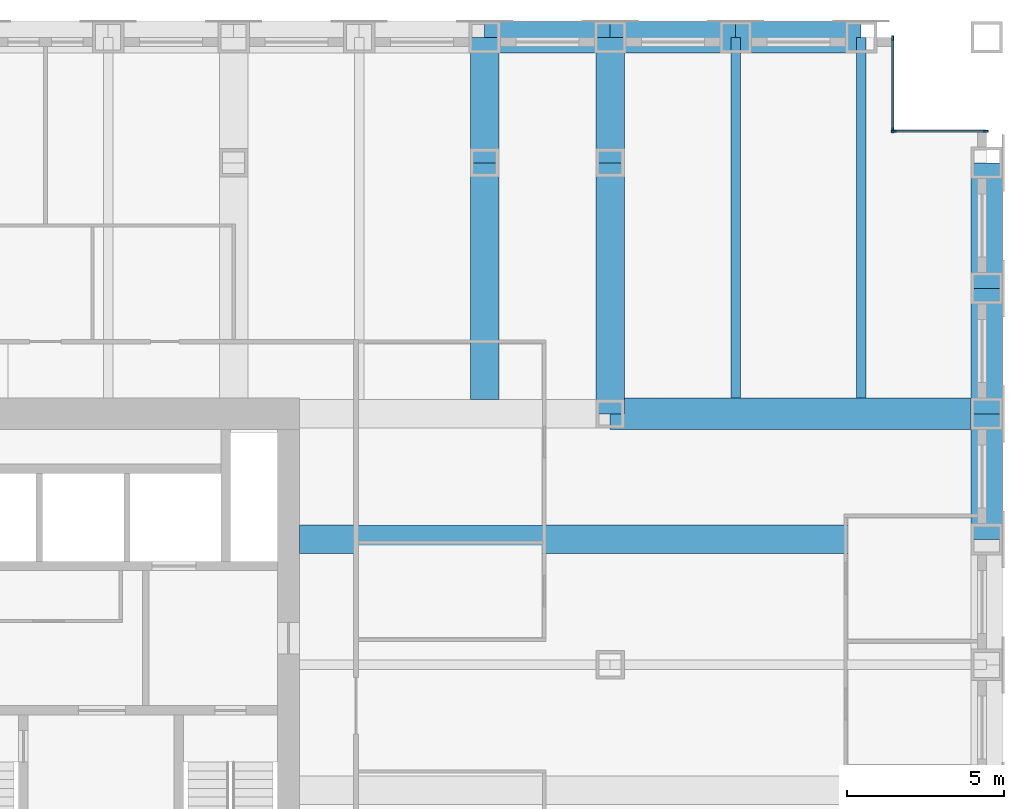
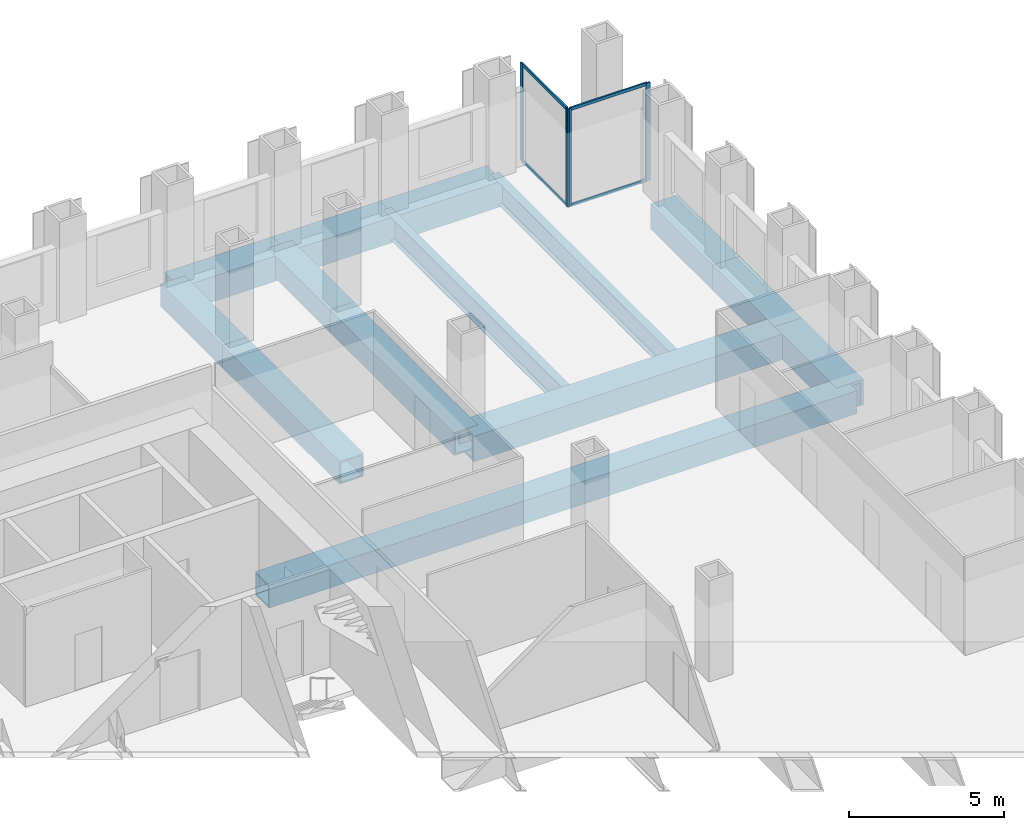
# One storey, part 9 of 16: 14 beams, 8 members, 2 elements without a shape of their own.
"""IFC4 building model written with IfcOpenShell, lengths in metres."""

from ifc_helpers import new_model, si_unit, direction, frame, origin, origin_2d, place, context, subcontext, project, spatial, rectangle, hollow_rectangle, i_section, extrude, material, material_profile, profile_set, type_object, element, aggregate, save


model = new_model("IFC4")

# Units and contexts
model_context = context("Model", 3, precision=1e-05, world=origin(), true_north=direction((0.0, 1.0)))
body_context = subcontext(model_context, "Body", "Model", "MODEL_VIEW")
ifc_project = project(units=[si_unit("LENGTHUNIT", "METRE"), si_unit("AREAUNIT", "SQUARE_METRE"), si_unit("VOLUMEUNIT", "CUBIC_METRE"), si_unit("PLANEANGLEUNIT", "RADIAN"), si_unit("MASSUNIT", "GRAM", prefix="KILO")], contexts=[model_context])

# Site, building, storey
site_placement = place(None, origin())
site = spatial("IfcSite", under=ifc_project, at=site_placement, CompositionType="ELEMENT")
building_placement = place(site_placement, origin())
building = spatial("IfcBuilding", under=site, at=building_placement, Name="Rimbunsela Tower", CompositionType="ELEMENT")
storey_placement = place(building_placement, frame((0.0, 0.0, 81.39990234375)))
storey = spatial("IfcBuildingStorey", under=building, at=storey_placement, Name="L19", CompositionType="ELEMENT", Elevation=81.39990234375)

# Beams
ifc_material_1 = material(Name="Steel BJ 55 (fy 410 MPa)", Category="steel")
ifc_material_profile_1 = material_profile(ifc_material_1, hollow_rectangle(XDim=1.0, YDim=1.0, WallThickness=0.10009765625, at=origin_2d()), Name="BOX 1000x1000x100")
ifc_profile_set_1 = profile_set([ifc_material_profile_1], Name="Steel BJ 55 (fy 410 MPa)")
beam_type_1 = type_object("IfcBeamType", Name="Beam BOX 1000x1000x100", PredefinedType="BEAM", material=ifc_profile_set_1)
beam_1_placement = place(storey_placement, frame((42.0, 48.0, -0.64990234375), z_axis=(1.0, 0.0, 0.0), x_axis=(0.0, 1.0, 0.0)))
element("IfcBeam", 1, at=beam_1_placement, inside=storey, type_object=beam_type_1, Name="Beam B3 L19", PredefinedType="BEAM", context=body_context, shape_type="SweptSolid", body=[
    extrude(hollow_rectangle(XDim=1.0, YDim=1.0, WallThickness=0.10009765625, at=origin_2d()), origin(), (0.0, 0.0, 1.0), 4.0),
])
beam_2_placement = place(storey_placement, frame((46.0, 36.0, -0.64990234375), z_axis=(1.0, 0.0, 0.0), x_axis=(0.0, 1.0, 0.0)))
element("IfcBeam", 2, at=beam_2_placement, inside=storey, type_object=beam_type_1, Name="Beam B3 L19", PredefinedType="BEAM", context=body_context, shape_type="SweptSolid", body=[
    extrude(hollow_rectangle(XDim=1.0, YDim=1.0, WallThickness=0.10009765625, at=origin_2d()), origin(), (0.0, 0.0, 1.0), 12.0),
])
for number, where, z_axis, x_axis, name in (
    (3, (46.0, 48.0, -0.64990234375), (1.0, 0.0, 0.0), (0.0, 1.0, 0.0), "Beam B3 L19"),
    (4, (50.0, 48.0, -0.64990234375), (1.0, 0.0, 0.0), (0.0, 1.0, 0.0), "Beam B3 L19"),
    (5, (58.0, 32.0, -0.64990234375), (0.0, 1.0, 0.0), (-1.0, 0.0, 0.0), "Beam B3 L19"),
    (6, (58.0, 36.0, -0.64990234375), (0.0, 1.0, 0.0), (-1.0, 0.0, 0.0), "Beam B3 L19"),
    (7, (58.0, 40.0, -0.64990234375), (0.0, 1.0, 0.0), (-1.0, 0.0, 0.0), "Beam B3 L19"),
):
    element("IfcBeam", number, at=place(storey_placement, frame(where, z_axis=z_axis, x_axis=x_axis)), inside=storey, type_object=beam_type_1, Name=name, PredefinedType="BEAM", context=body_context, shape_type="SweptSolid", body=[
        extrude(hollow_rectangle(XDim=1.0, YDim=1.0, WallThickness=0.10009765625, at=origin_2d()), origin(), (0.0, 0.0, 1.0), 4.0),
    ])
ifc_material_2 = material(Name="Steel BJ 55 (fy 410 MPa)", Category="steel")
ifc_material_profile_2 = material_profile(ifc_material_2, hollow_rectangle(XDim=0.89990234375, YDim=0.89990234375, WallThickness=0.06005859375, at=origin_2d()), Name="BOX 900x900x60")
ifc_profile_set_2 = profile_set([ifc_material_profile_2], Name="Steel BJ 55 (fy 410 MPa)")
beam_type_2 = type_object("IfcBeamType", Name="Beam BOX 900x900x60", PredefinedType="BEAM", material=ifc_profile_set_2)
beam_3_placement = place(storey_placement, frame((36.10009765625, 32.0, -0.599853515625), z_axis=(1.0, 0.0, 0.0), x_axis=(0.0, 1.0, 0.0)))
element("IfcBeam", 8, at=beam_3_placement, inside=storey, type_object=beam_type_2, Name="Beam B1 L19", PredefinedType="BEAM", context=body_context, shape_type="SweptSolid", body=[
    extrude(hollow_rectangle(XDim=0.89990234375, YDim=0.89990234375, WallThickness=0.06005859375, at=origin_2d()), origin(), (0.0, 0.0, 1.0), 21.89990234375),
])
beam_4_placement = place(storey_placement, frame((42.0, 36.449951171875, -0.599853515625), z_axis=(0.0, 1.0, 0.0), x_axis=(-1.0, 0.0, 0.0)))
element("IfcBeam", 9, at=beam_4_placement, inside=storey, type_object=beam_type_2, Name="Beam B1 L19", PredefinedType="BEAM", context=body_context, shape_type="SweptSolid", body=[
    extrude(hollow_rectangle(XDim=0.89990234375, YDim=0.89990234375, WallThickness=0.06005859375, at=origin_2d()), origin(), (0.0, 0.0, 1.0), 7.550048828125),
])
beam_5_placement = place(storey_placement, frame((42.0, 44.0, -0.599853515625), z_axis=(0.0, 1.0, 0.0), x_axis=(-1.0, 0.0, 0.0)))
element("IfcBeam", 10, at=beam_5_placement, inside=storey, type_object=beam_type_2, Name="Beam B1 L19", PredefinedType="BEAM", context=body_context, shape_type="SweptSolid", body=[
    extrude(hollow_rectangle(XDim=0.89990234375, YDim=0.89990234375, WallThickness=0.06005859375, at=origin_2d()), origin(), (0.0, 0.0, 1.0), 4.0),
])
beam_6_placement = place(storey_placement, frame((46.0, 36.0, -0.599853515625), z_axis=(0.0, 1.0, 0.0), x_axis=(-1.0, 0.0, 0.0)))
element("IfcBeam", 11, at=beam_6_placement, inside=storey, type_object=beam_type_2, Name="Beam B1 L19", PredefinedType="BEAM", context=body_context, shape_type="SweptSolid", body=[
    extrude(hollow_rectangle(XDim=0.89990234375, YDim=0.89990234375, WallThickness=0.06005859375, at=origin_2d()), origin(), (0.0, 0.0, 1.0), 8.0),
])
beam_7_placement = place(storey_placement, frame((46.0, 44.0, -0.599853515625), z_axis=(0.0, 1.0, 0.0), x_axis=(-1.0, 0.0, 0.0)))
element("IfcBeam", 12, at=beam_7_placement, inside=storey, type_object=beam_type_2, Name="Beam B1 L19", PredefinedType="BEAM", context=body_context, shape_type="SweptSolid", body=[
    extrude(hollow_rectangle(XDim=0.89990234375, YDim=0.89990234375, WallThickness=0.06005859375, at=origin_2d()), origin(), (0.0, 0.0, 1.0), 4.0),
])
ifc_material_3 = material(Name="Steel BJ 55 (fy 410 MPa)", Category="steel")
ifc_material_profile_3 = material_profile(ifc_material_3, i_section(OverallWidth=0.300048828125, OverallDepth=0.89990234375, WebThickness=0.01611328125, FlangeThickness=0.028076171875, FilletRadius=0.028076171875, at=origin_2d()), Name="H 900x300x16x28")
ifc_profile_set_3 = profile_set([ifc_material_profile_3], Name="Steel BJ 55 (fy 410 MPa)")
beam_type_3 = type_object("IfcBeamType", Name="Beam H 900x300x16x28", PredefinedType="BEAM", material=ifc_profile_set_3)
for number, where, z_axis, x_axis, name in (
    (13, (50.0, 36.5, -0.599853515625), (0.0, 1.0, 0.0), (-1.0, 0.0, 0.0), "Beam B2 L19"),
    (14, (54.0, 36.5, -0.599853515625), (0.0, 1.0, 0.0), (-1.0, 0.0, 0.0), "Beam B2 L19"),
):
    element("IfcBeam", number, at=place(storey_placement, frame(where, z_axis=z_axis, x_axis=x_axis)), inside=storey, type_object=beam_type_3, Name=name, PredefinedType="BEAM", context=body_context, shape_type="SweptSolid", body=[
        extrude(i_section(OverallWidth=0.300048828125, OverallDepth=0.89990234375, WebThickness=0.01611328125, FlangeThickness=0.028076171875, FilletRadius=0.028076171875, at=origin_2d()), origin(), (0.0, 0.0, 1.0), 11.5),
    ])

# Curtain wall, members
ifc_material_4 = material(Name="Aluminium curtain wall", Category="aluminium")
curtain_wall_type = type_object("IfcCurtainWallType", Name="Corner glazing", PredefinedType="USERDEFINED", material=ifc_material_4)
curtain_wall_1_placement = place(storey_placement, origin())
curtain_wall_1 = element("IfcCurtainWall", 15, at=curtain_wall_1_placement, inside=storey, type_object=curtain_wall_type, Name="Corner glazing L19", ObjectType="CORNER GLAZING", PredefinedType="USERDEFINED")
ifc_material_5 = material(Name="Aluminium mullion", Category="aluminium")
ifc_material_profile_4 = material_profile(ifc_material_5, rectangle(XDim=0.06005859375, YDim=0.159912109375, at=origin_2d()), Name="Mullion 60x160")
ifc_profile_set_4 = profile_set([ifc_material_profile_4], Name="Aluminium mullion")
member_type_1 = type_object("IfcMemberType", Name="Curtain wall mullion 60x160", PredefinedType="MULLION", material=ifc_profile_set_4)
member_1_placement = place(storey_placement, frame((57.969970703125, 45.0, 0.0), z_axis=(0.0, 0.0, 1.0), x_axis=(0.0, -1.0, 0.0)))
member_1 = element("IfcMember", 16, at=member_1_placement, type_object=member_type_1, Name="CW5 mullion 1", PredefinedType="MULLION", context=body_context, shape_type="SweptSolid", body=[
    extrude(rectangle(XDim=0.06005859375, YDim=0.159912109375, at=origin_2d()), origin(), (0.0, 0.0, 1.0), 3.85009765625),
])
member_2_placement = place(storey_placement, frame((55.030029296875, 45.0, 0.0), z_axis=(0.0, 0.0, 1.0), x_axis=(0.0, -1.0, 0.0)))
member_2 = element("IfcMember", 17, at=member_2_placement, type_object=member_type_1, Name="CW5 mullion 2", PredefinedType="MULLION", context=body_context, shape_type="SweptSolid", body=[
    extrude(rectangle(XDim=0.06005859375, YDim=0.159912109375, at=origin_2d()), origin(), (0.0, 0.0, 1.0), 3.85009765625),
])

curtain_wall_2_placement = place(storey_placement, origin())
curtain_wall_2 = element("IfcCurtainWall", 18, at=curtain_wall_2_placement, inside=storey, type_object=curtain_wall_type, Name="Corner glazing L19", ObjectType="CORNER GLAZING", PredefinedType="USERDEFINED")
member_3_placement = place(storey_placement, frame((55.0, 45.030029296875, 0.0), z_axis=(0.0, 0.0, 1.0), x_axis=(-1.0, 0.0, 0.0)))
member_3 = element("IfcMember", 19, at=member_3_placement, type_object=member_type_1, Name="CW5 mullion 1", PredefinedType="MULLION", context=body_context, shape_type="SweptSolid", body=[
    extrude(rectangle(XDim=0.06005859375, YDim=0.159912109375, at=origin_2d()), origin(), (0.0, 0.0, 1.0), 3.85009765625),
])
member_4_placement = place(storey_placement, frame((55.0, 47.969970703125, 0.0), z_axis=(0.0, 0.0, 1.0), x_axis=(-1.0, 0.0, 0.0)))
member_4 = element("IfcMember", 20, at=member_4_placement, type_object=member_type_1, Name="CW5 mullion 2", PredefinedType="MULLION", context=body_context, shape_type="SweptSolid", body=[
    extrude(rectangle(XDim=0.06005859375, YDim=0.159912109375, at=origin_2d()), origin(), (0.0, 0.0, 1.0), 3.85009765625),
])

# Member
ifc_material_6 = material(Name="Aluminium transom", Category="aluminium")
ifc_material_profile_5 = material_profile(ifc_material_6, rectangle(XDim=0.06005859375, YDim=0.1201171875, at=origin_2d()), Name="Transom 60x120")
ifc_profile_set_5 = profile_set([ifc_material_profile_5], Name="Aluminium transom")
member_type_2 = type_object("IfcMemberType", Name="Curtain wall transom 60x120", PredefinedType="USERDEFINED", material=ifc_profile_set_5)
member_5_placement = place(storey_placement, frame((57.93994140625, 45.0, 0.030029296875), z_axis=(-1.0, 0.0, 0.0), x_axis=(0.0, -1.0, 0.0)))
member_5 = element("IfcMember", 21, at=member_5_placement, type_object=member_type_2, Name="CW5 transom 1.1", ObjectType="TRANSOM", PredefinedType="USERDEFINED", context=body_context, shape_type="SweptSolid", body=[
    extrude(rectangle(XDim=0.06005859375, YDim=0.1201171875, at=origin_2d()), origin(), (0.0, 0.0, 1.0), 2.8798828125),
])

member_6_placement = place(storey_placement, frame((57.93994140625, 45.0, 3.820068359375), z_axis=(-1.0, 0.0, 0.0), x_axis=(0.0, -1.0, 0.0)))
member_6 = element("IfcMember", 22, at=member_6_placement, type_object=member_type_2, Name="CW5 transom 1.2", ObjectType="TRANSOM", PredefinedType="USERDEFINED", context=body_context, shape_type="SweptSolid", body=[
    extrude(rectangle(XDim=0.06005859375, YDim=0.1201171875, at=origin_2d()), origin(), (0.0, 0.0, 1.0), 2.8798828125),
])

aggregate(curtain_wall_1, [member_1, member_2, member_5, member_6])

member_7_placement = place(storey_placement, frame((55.0, 45.06005859375, 0.030029296875), z_axis=(0.0, 1.0, 0.0), x_axis=(-1.0, 0.0, 0.0)))
member_7 = element("IfcMember", 23, at=member_7_placement, type_object=member_type_2, Name="CW5 transom 1.1", ObjectType="TRANSOM", PredefinedType="USERDEFINED", context=body_context, shape_type="SweptSolid", body=[
    extrude(rectangle(XDim=0.06005859375, YDim=0.1201171875, at=origin_2d()), origin(), (0.0, 0.0, 1.0), 2.8798828125),
])

member_8_placement = place(storey_placement, frame((55.0, 45.06005859375, 3.820068359375), z_axis=(0.0, 1.0, 0.0), x_axis=(-1.0, 0.0, 0.0)))
member_8 = element("IfcMember", 24, at=member_8_placement, type_object=member_type_2, Name="CW5 transom 1.2", ObjectType="TRANSOM", PredefinedType="USERDEFINED", context=body_context, shape_type="SweptSolid", body=[
    extrude(rectangle(XDim=0.06005859375, YDim=0.1201171875, at=origin_2d()), origin(), (0.0, 0.0, 1.0), 2.8798828125),
])

aggregate(curtain_wall_2, [member_3, member_4, member_7, member_8])

save(model, "model.ifc")
